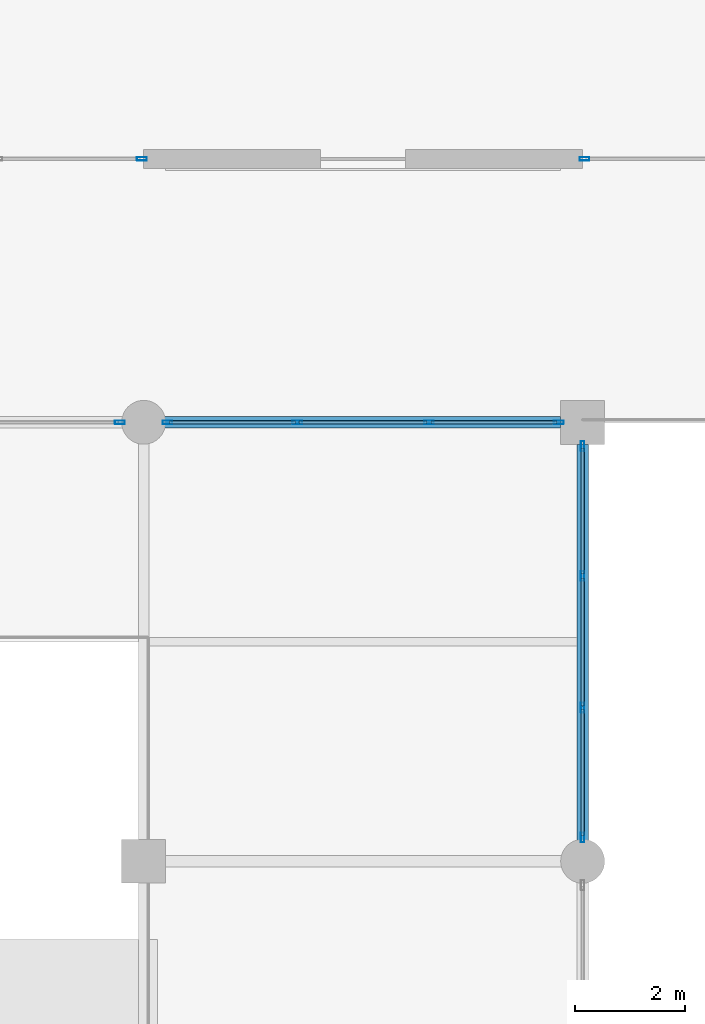
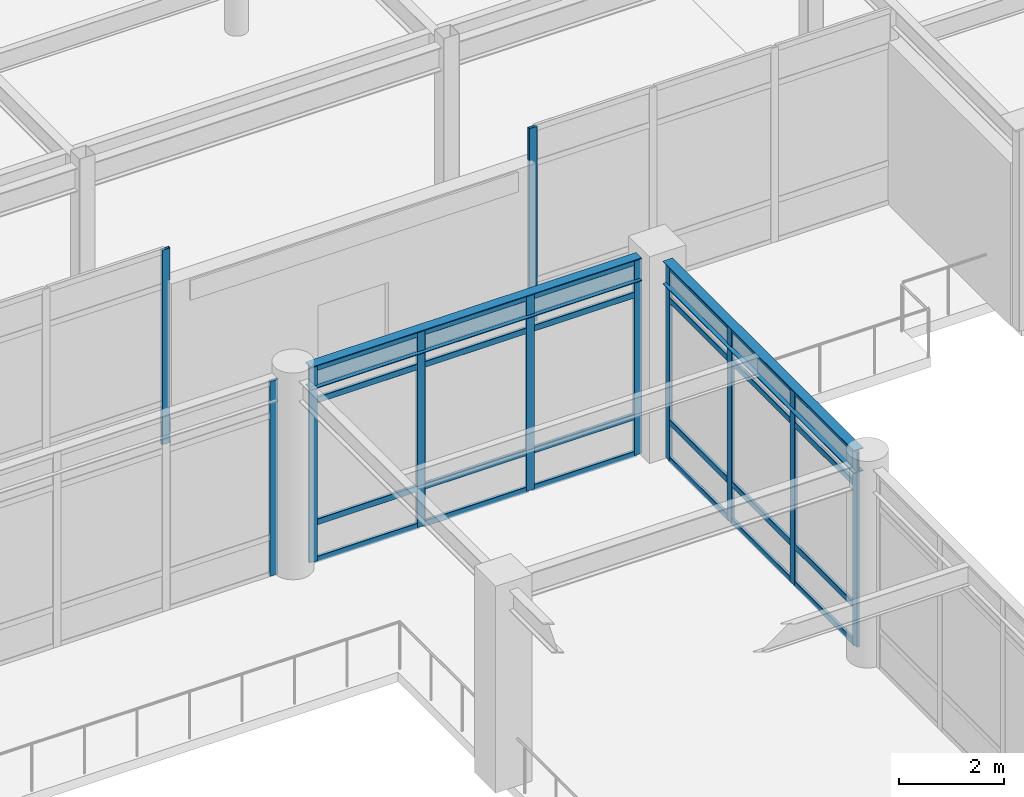
# One storey, part 56 of 117: 35 members, 2 beams, 5 elements without a shape of their own.
"""IFC4 building model written with IfcOpenShell, lengths in metres."""

import ifcopenshell
import ifcopenshell.guid

model = None  # the IFC model being written
_history = None  # IfcOwnerHistory: only IFC2X3 demands one
_inside = {}  # id of a spatial element -> (the spatial element, [elements in it])
_under = {}  # id of a project, library or spatial element -> (it, [spatial elements below it])
_declared = {}  # id of a project -> (the project, [libraries it declares])
_typed = {}  # id of a type object -> (the type object, [elements of that type])
_made_of = {}  # id of a material, layer set ... -> (it, [elements and type objects made of it])


def new_model(schema):
    """Start an empty IFC model of exactly this schema.

    Asked for "IFC4X3", IfcOpenShell would pick the latest addendum, in which some entities
    have other attributes; the version numbers below select the first issue.
    IFC2X3 requires an IfcOwnerHistory on every rooted entity: one is made here for all.
    """
    global model, _history
    if schema == "IFC4X3":
        model = ifcopenshell.file(schema_version=(4, 3, 0, 0))
    else:
        model = ifcopenshell.file(schema=schema)
    _inside.clear()
    _under.clear()
    _declared.clear()
    _typed.clear()
    _made_of.clear()
    _history = None
    if model.schema == "IFC2X3":
        org = make("IfcOrganization", Name="unknown")
        user = make(
            "IfcPersonAndOrganization",
            ThePerson=make("IfcPerson", FamilyName="unknown"),
            TheOrganization=org,
        )
        app = make(
            "IfcApplication",
            ApplicationDeveloper=org,
            Version="unknown",
            ApplicationFullName="unknown",
            ApplicationIdentifier="unknown",
        )
        _history = make(
            "IfcOwnerHistory",
            OwningUser=user,
            OwningApplication=app,
            ChangeAction="ADDED",
            CreationDate=0,
        )
    return model


def make(cls, **values):
    """One entity of the class cls with the attributes given. An attribute that is None is left unset."""
    return model.create_entity(
        cls, **{name: value for name, value in values.items() if value is not None}
    )


def rooted(cls, **values):
    """An entity with a GlobalId (a new one), such as an element, a storey or a relation."""
    return make(cls, GlobalId=ifcopenshell.guid.new(), OwnerHistory=_history, **values)


def si_unit(unit_type, name, prefix=None):
    """IfcSIUnit, for example si_unit("LENGTHUNIT", "METRE", prefix="MILLI")."""
    return make("IfcSIUnit", UnitType=unit_type, Prefix=prefix, Name=name)


def assignment(units):
    """IfcUnitAssignment: the units of a project."""
    return None if units is None else make("IfcUnitAssignment", Units=units)


def point(xyz):
    """IfcCartesianPoint."""
    return None if xyz is None else make("IfcCartesianPoint", Coordinates=xyz)


def direction(xyz):
    """IfcDirection."""
    return None if xyz is None else make("IfcDirection", DirectionRatios=xyz)


def frame(location, z_axis=None, x_axis=None):
    """IfcAxis2Placement3D, a coordinate frame: its origin and axes. An axis left out is left unset."""
    return make(
        "IfcAxis2Placement3D",
        Location=point(location),
        Axis=direction(z_axis),
        RefDirection=direction(x_axis),
    )


def frame_2d(location, x_axis=None):
    """IfcAxis2Placement2D, a coordinate frame in the plane: its origin and x axis."""
    return make(
        "IfcAxis2Placement2D", Location=point(location), RefDirection=direction(x_axis)
    )


def origin():
    """The frame at (0, 0, 0) with its axes left unset."""
    return frame((0.0, 0.0, 0.0))


def origin_2d():
    """The frame at (0, 0) in the plane with its x axis left unset."""
    return frame_2d((0.0, 0.0))


def place(relative_to, where):
    """IfcLocalPlacement: puts the frame where relative to a parent placement (None: the world)."""
    return make(
        "IfcLocalPlacement", PlacementRelTo=relative_to, RelativePlacement=where
    )


def context(
    kind, dimensions, precision=None, world=None, true_north=None, identifier=None
):
    """IfcGeometricRepresentationContext, for example the 3D "Model" context."""
    return make(
        "IfcGeometricRepresentationContext",
        ContextIdentifier=identifier,
        ContextType=kind,
        CoordinateSpaceDimension=dimensions,
        Precision=precision,
        WorldCoordinateSystem=world,
        TrueNorth=true_north,
    )


def subcontext(parent, identifier, kind, view, scale=None):
    """IfcGeometricRepresentationSubContext, for example "Body" below "Model"."""
    return make(
        "IfcGeometricRepresentationSubContext",
        ContextIdentifier=identifier,
        ContextType=kind,
        ParentContext=parent,
        TargetScale=scale,
        TargetView=view,
    )


def project(units=None, contexts=None):
    """IfcProject with its units and contexts."""
    return rooted(
        "IfcProject",
        Name="project",
        RepresentationContexts=contexts,
        UnitsInContext=assignment(units),
    )


def spatial(cls, under=None, at=None, **own):
    """A site, building, storey or space (cls), placed at a placement, below another one or the project."""
    s = rooted(cls, ObjectPlacement=at, **own)
    if under is not None:
        _under.setdefault(under.id(), (under, []))[1].append(s)
    return s


def profile(cls, at=None, kind="AREA", **sizes):
    """A parametric profile (cls). Its sizes go by their IFC names, for example OverallWidth=200.0."""
    return make(cls, ProfileType=kind, Position=at, **sizes)


def hollow_rectangle(**sizes):
    """IfcRectangleHollowProfileDef."""
    return profile("IfcRectangleHollowProfileDef", **sizes)


def i_section(**sizes):
    """IfcIShapeProfileDef."""
    return profile("IfcIShapeProfileDef", **sizes)


def extrude(swept, where, along, depth):
    """IfcExtrudedAreaSolid: the profile swept, set in the frame where, extruded along a direction by depth."""
    return make(
        "IfcExtrudedAreaSolid",
        SweptArea=swept,
        Position=where,
        ExtrudedDirection=direction(along),
        Depth=depth,
    )


def shape(context_of_items, identifier, shape_type, items):
    """IfcShapeRepresentation: the items that make up one representation, for example the "Body"."""
    return make(
        "IfcShapeRepresentation",
        ContextOfItems=context_of_items,
        RepresentationIdentifier=identifier,
        RepresentationType=shape_type,
        Items=items,
    )


def material(Name=None, Category=None):
    """IfcMaterial."""
    return make("IfcMaterial", Name=Name, Category=Category)


def material_profile(
    of_material, cross_section, Name=None, Category=None, Priority=None
):
    """IfcMaterialProfile: a cross section and its material."""
    return make(
        "IfcMaterialProfile",
        Name=Name,
        Material=of_material,
        Profile=cross_section,
        Priority=Priority,
        Category=Category,
    )


def profile_set(profiles, Name=None, composite=None):
    """IfcMaterialProfileSet."""
    return make(
        "IfcMaterialProfileSet",
        Name=Name,
        MaterialProfiles=profiles,
        CompositeProfile=composite,
    )


def made_of(thing, what):
    """Note that an element or type object is made of a material, layer set ...; save() writes the relation."""
    if what is not None:
        _made_of.setdefault(what.id(), (what, []))[1].append(thing)
    return thing


def type_object(cls, material=None, **own):
    """A type object (cls), such as IfcWallType, which elements share."""
    return made_of(rooted(cls, **own), material)


def element(
    cls,
    number,
    at=None,
    inside=None,
    cuts=None,
    type_object=None,
    material=None,
    context=None,
    identifier="Body",
    shape_type=None,
    held_by="IfcProductDefinitionShape",
    body=None,
    shapes=None,
    **own,
):
    """One element of the class cls, such as IfcWall. Its Tag is "e" and its number.

    at: its placement. inside: the storey or other place that contains it. cuts: it is an
    opening in that element (IfcRelVoidsElement). A single representation is given by context,
    identifier, shape_type and body (its items); several are given by shapes. held_by: the class
    of the entity that holds the representations. save() writes the other relations.
    """
    e = rooted(cls, Tag="e%d" % number, ObjectPlacement=at, **own)
    if body is not None:
        shapes = [shape(context, identifier, shape_type, body)]
    if shapes is not None:
        e.Representation = make(held_by, Representations=shapes)
    if inside is not None:
        _inside.setdefault(inside.id(), (inside, []))[1].append(e)
    if cuts is not None:
        rooted(
            "IfcRelVoidsElement", RelatingBuildingElement=cuts, RelatedOpeningElement=e
        )
    if type_object is not None:
        _typed.setdefault(type_object.id(), (type_object, []))[1].append(e)
    return made_of(e, material)


def aggregate(whole, parts):
    """IfcRelAggregates: a whole, such as a stair, and the parts it consists of."""
    return rooted("IfcRelAggregates", RelatingObject=whole, RelatedObjects=parts)


def save(model, path):
    """Write the relations noted so far, then the file.

    IfcRelAggregates (storeys below a building ...), IfcRelContainedInSpatialStructure (elements
    in a storey), IfcRelDefinesByType, IfcRelAssociatesMaterial and IfcRelDeclares: one each for
    every whole, place, type object, material and project.
    """
    for whole, parts in _under.values():
        aggregate(whole, parts)
    for where, things in _inside.values():
        rooted(
            "IfcRelContainedInSpatialStructure",
            RelatedElements=things,
            RelatingStructure=where,
        )
    for kind, things in _typed.values():
        rooted("IfcRelDefinesByType", RelatedObjects=things, RelatingType=kind)
    for what, things in _made_of.values():
        rooted("IfcRelAssociatesMaterial", RelatedObjects=things, RelatingMaterial=what)
    for by, libraries in _declared.values():
        rooted("IfcRelDeclares", RelatingContext=by, RelatedDefinitions=libraries)
    model.write(path)


model = new_model("IFC4")

# Units and contexts
model_context = context("Model", 3, precision=1e-05, world=origin(), true_north=direction((0.0, 1.0)))
body_context = subcontext(model_context, "Body", "Model", "MODEL_VIEW")
ifc_project = project(units=[si_unit("LENGTHUNIT", "METRE"), si_unit("AREAUNIT", "SQUARE_METRE"), si_unit("VOLUMEUNIT", "CUBIC_METRE"), si_unit("PLANEANGLEUNIT", "RADIAN"), si_unit("MASSUNIT", "GRAM", prefix="KILO")], contexts=[model_context])

# Site, building, storey
site_placement = place(None, origin())
site = spatial("IfcSite", under=ifc_project, at=site_placement, CompositionType="ELEMENT")
building_placement = place(site_placement, origin())
building = spatial("IfcBuilding", under=site, at=building_placement, Name="Solmirada Galleria", CompositionType="ELEMENT")
storey_placement = place(building_placement, frame((0.0, 0.0, 5.60009765625)))
storey = spatial("IfcBuildingStorey", under=building, at=storey_placement, Name="L01", CompositionType="ELEMENT", Elevation=5.60009765625)

# Beams
ifc_material_1 = material(Name="Steel S355 / ASTM A992 Grade 50", Category="steel")
ifc_material_profile_1 = material_profile(ifc_material_1, i_section(OverallWidth=0.2099609375, OverallDepth=0.537109375, WebThickness=0.010986328125, FlangeThickness=0.017333984375, FilletRadius=0.014892578125, at=origin_2d()), Name="W21X68")
ifc_profile_set_1 = profile_set([ifc_material_profile_1], Name="Steel S355 / ASTM A992 Grade 50")
beam_type = type_object("IfcBeamType", Name="BM-GIRD-W21B", PredefinedType="BEAM", material=ifc_profile_set_1)
for number, where, z_axis, x_axis, name in (
    (1, (104.3359375, 72.0, 4.331298828125), (1.0, 0.0, 0.0), (0.0, 1.0, 0.0), "Primary beam L02 X(104..112, 72)"),
    (2, (112.0, 64.3359375, 4.331298828125), (0.0, 1.0, 0.0), (-1.0, 0.0, 0.0), "Primary girder L02 Y(112, 64..72)"),
):
    element("IfcBeam", number, at=place(storey_placement, frame(where, z_axis=z_axis, x_axis=x_axis)), inside=storey, type_object=beam_type, Name=name, PredefinedType="BEAM", context=body_context, shape_type="SweptSolid", body=[
        extrude(i_section(OverallWidth=0.2099609375, OverallDepth=0.537109375, WebThickness=0.010986328125, FlangeThickness=0.017333984375, FilletRadius=0.014892578125, at=origin_2d()), origin(), (0.0, 0.0, 1.0), 7.26416015625),
    ])

# Curtain wall, member
ifc_material_2 = material(Name="Impact-resistant low-E double glazing", Category="glass")
curtain_wall_type_1 = type_object("IfcCurtainWallType", Name="CW-FZ4-L01-B3-L080", PredefinedType="NOTDEFINED", material=ifc_material_2)
curtain_wall_1_placement = place(storey_placement, origin())
curtain_wall_1 = element("IfcCurtainWall", 3, at=curtain_wall_1_placement, inside=storey, type_object=curtain_wall_type_1, Name="Terrace and arcade storefront CW-L01-064", PredefinedType="NOTDEFINED")
ifc_material_3 = material(Name="Anodised aluminium framing", Category="aluminium")
ifc_material_profile_2 = material_profile(ifc_material_3, hollow_rectangle(XDim=0.06494140625, YDim=0.179931640625, WallThickness=0.00390625, InnerFilletRadius=0.00390625, OuterFilletRadius=0.008056640625, at=origin_2d()), Name="ALU-MULL-180X65")
ifc_profile_set_2 = profile_set([ifc_material_profile_2], Name="Anodised aluminium framing")
member_type_1 = type_object("IfcMemberType", Name="CW-MULL-180", PredefinedType="MULLION", material=ifc_profile_set_2)
member_1_placement = place(storey_placement, frame((112.032470703125, 76.800048828125, 0.0), z_axis=(0.0, 0.0, 1.0), x_axis=(0.0, -1.0, 0.0)))
member_1 = element("IfcMember", 4, at=member_1_placement, type_object=member_type_1, Name="CW13 mullion 4", PredefinedType="MULLION", context=body_context, shape_type="SweptSolid", body=[
    extrude(hollow_rectangle(XDim=0.06494140625, YDim=0.179931640625, WallThickness=0.00390625, InnerFilletRadius=0.00390625, OuterFilletRadius=0.008056640625, at=origin_2d()), origin(), (0.0, 0.0, 1.0), 4.52001953125),
])
aggregate(curtain_wall_1, [member_1])

curtain_wall_2_placement = place(storey_placement, origin())
curtain_wall_2 = element("IfcCurtainWall", 5, at=curtain_wall_2_placement, inside=storey, type_object=curtain_wall_type_1, Name="Terrace and arcade storefront CW-L01-065", PredefinedType="NOTDEFINED")
member_2_placement = place(storey_placement, frame((103.967529296875, 76.800048828125, 0.0), z_axis=(0.0, 0.0, 1.0), x_axis=(0.0, -1.0, 0.0)))
member_2 = element("IfcMember", 6, at=member_2_placement, type_object=member_type_1, Name="CW13 mullion 1", PredefinedType="MULLION", context=body_context, shape_type="SweptSolid", body=[
    extrude(hollow_rectangle(XDim=0.06494140625, YDim=0.179931640625, WallThickness=0.00390625, InnerFilletRadius=0.00390625, OuterFilletRadius=0.008056640625, at=origin_2d()), origin(), (0.0, 0.0, 1.0), 4.52001953125),
])
aggregate(curtain_wall_2, [member_2])

curtain_wall_type_2 = type_object("IfcCurtainWallType", Name="CW-FZ3-L01-B3-L072", PredefinedType="NOTDEFINED", material=ifc_material_2)
curtain_wall_3_placement = place(storey_placement, origin())
curtain_wall_3 = element("IfcCurtainWall", 7, at=curtain_wall_3_placement, inside=storey, type_object=curtain_wall_type_2, Name="Terrace and arcade storefront CW-L01-066", PredefinedType="NOTDEFINED")
member_3_placement = place(storey_placement, frame((103.5654296875, 72.0, 0.0), z_axis=(0.0, 0.0, 1.0), x_axis=(0.0, 1.0, 0.0)))
member_3 = element("IfcMember", 8, at=member_3_placement, type_object=member_type_1, Name="CW12 mullion 4", PredefinedType="MULLION", context=body_context, shape_type="SweptSolid", body=[
    extrude(hollow_rectangle(XDim=0.06494140625, YDim=0.179931640625, WallThickness=0.00390625, InnerFilletRadius=0.00390625, OuterFilletRadius=0.008056640625, at=origin_2d()), origin(), (0.0, 0.0, 1.0), 4.52001953125),
])
aggregate(curtain_wall_3, [member_3])

# Curtain wall, members
curtain_wall_4_placement = place(storey_placement, origin())
curtain_wall_4 = element("IfcCurtainWall", 9, at=curtain_wall_4_placement, inside=storey, type_object=curtain_wall_type_2, Name="Terrace and arcade storefront CW-L01-067", PredefinedType="NOTDEFINED")
member_4_placement = place(storey_placement, frame((104.4345703125, 72.0, 0.0), z_axis=(0.0, 0.0, 1.0), x_axis=(0.0, 1.0, 0.0)))
member_4 = element("IfcMember", 10, at=member_4_placement, type_object=member_type_1, Name="CW12 mullion 1", PredefinedType="MULLION", context=body_context, shape_type="SweptSolid", body=[
    extrude(hollow_rectangle(XDim=0.06494140625, YDim=0.179931640625, WallThickness=0.00390625, InnerFilletRadius=0.00390625, OuterFilletRadius=0.008056640625, at=origin_2d()), origin(), (0.0, 0.0, 1.0), 4.52001953125),
])
member_5_placement = place(storey_placement, frame((106.80078125, 72.0, 0.0), z_axis=(0.0, 0.0, 1.0), x_axis=(0.0, 1.0, 0.0)))
member_5 = element("IfcMember", 11, at=member_5_placement, type_object=member_type_1, Name="CW12 mullion 2", PredefinedType="MULLION", context=body_context, shape_type="SweptSolid", body=[
    extrude(hollow_rectangle(XDim=0.06494140625, YDim=0.179931640625, WallThickness=0.00390625, InnerFilletRadius=0.00390625, OuterFilletRadius=0.008056640625, at=origin_2d()), origin(), (0.0, 0.0, 1.0), 4.52001953125),
])
member_6_placement = place(storey_placement, frame((109.19921875, 72.0, 0.0), z_axis=(0.0, 0.0, 1.0), x_axis=(0.0, 1.0, 0.0)))
member_6 = element("IfcMember", 12, at=member_6_placement, type_object=member_type_1, Name="CW12 mullion 3", PredefinedType="MULLION", context=body_context, shape_type="SweptSolid", body=[
    extrude(hollow_rectangle(XDim=0.06494140625, YDim=0.179931640625, WallThickness=0.00390625, InnerFilletRadius=0.00390625, OuterFilletRadius=0.008056640625, at=origin_2d()), origin(), (0.0, 0.0, 1.0), 4.52001953125),
])
member_7_placement = place(storey_placement, frame((111.5654296875, 72.0, 0.0), z_axis=(0.0, 0.0, 1.0), x_axis=(0.0, 1.0, 0.0)))
member_7 = element("IfcMember", 13, at=member_7_placement, type_object=member_type_1, Name="CW12 mullion 4", PredefinedType="MULLION", context=body_context, shape_type="SweptSolid", body=[
    extrude(hollow_rectangle(XDim=0.06494140625, YDim=0.179931640625, WallThickness=0.00390625, InnerFilletRadius=0.00390625, OuterFilletRadius=0.008056640625, at=origin_2d()), origin(), (0.0, 0.0, 1.0), 4.52001953125),
])

curtain_wall_5_placement = place(storey_placement, origin())
curtain_wall_5 = element("IfcCurtainWall", 14, at=curtain_wall_5_placement, inside=storey, type_object=curtain_wall_type_2, Name="Terrace and arcade storefront CW-L01-068", PredefinedType="NOTDEFINED")
member_8_placement = place(storey_placement, frame((112.0, 71.5654296875, 0.0), z_axis=(0.0, 0.0, 1.0), x_axis=(1.0, 0.0, 0.0)))
member_8 = element("IfcMember", 15, at=member_8_placement, type_object=member_type_1, Name="CW12 mullion 1", PredefinedType="MULLION", context=body_context, shape_type="SweptSolid", body=[
    extrude(hollow_rectangle(XDim=0.06494140625, YDim=0.179931640625, WallThickness=0.00390625, InnerFilletRadius=0.00390625, OuterFilletRadius=0.008056640625, at=origin_2d()), origin(), (0.0, 0.0, 1.0), 4.52001953125),
])
member_9_placement = place(storey_placement, frame((112.0, 69.19921875, 0.0), z_axis=(0.0, 0.0, 1.0), x_axis=(1.0, 0.0, 0.0)))
member_9 = element("IfcMember", 16, at=member_9_placement, type_object=member_type_1, Name="CW12 mullion 2", PredefinedType="MULLION", context=body_context, shape_type="SweptSolid", body=[
    extrude(hollow_rectangle(XDim=0.06494140625, YDim=0.179931640625, WallThickness=0.00390625, InnerFilletRadius=0.00390625, OuterFilletRadius=0.008056640625, at=origin_2d()), origin(), (0.0, 0.0, 1.0), 4.52001953125),
])
member_10_placement = place(storey_placement, frame((112.0, 66.80078125, 0.0), z_axis=(0.0, 0.0, 1.0), x_axis=(1.0, 0.0, 0.0)))
member_10 = element("IfcMember", 17, at=member_10_placement, type_object=member_type_1, Name="CW12 mullion 3", PredefinedType="MULLION", context=body_context, shape_type="SweptSolid", body=[
    extrude(hollow_rectangle(XDim=0.06494140625, YDim=0.179931640625, WallThickness=0.00390625, InnerFilletRadius=0.00390625, OuterFilletRadius=0.008056640625, at=origin_2d()), origin(), (0.0, 0.0, 1.0), 4.52001953125),
])
member_11_placement = place(storey_placement, frame((112.0, 64.4345703125, 0.0), z_axis=(0.0, 0.0, 1.0), x_axis=(1.0, 0.0, 0.0)))
member_11 = element("IfcMember", 18, at=member_11_placement, type_object=member_type_1, Name="CW12 mullion 4", PredefinedType="MULLION", context=body_context, shape_type="SweptSolid", body=[
    extrude(hollow_rectangle(XDim=0.06494140625, YDim=0.179931640625, WallThickness=0.00390625, InnerFilletRadius=0.00390625, OuterFilletRadius=0.008056640625, at=origin_2d()), origin(), (0.0, 0.0, 1.0), 4.52001953125),
])

# Member
ifc_material_profile_3 = material_profile(ifc_material_3, hollow_rectangle(XDim=0.06494140625, YDim=0.139892578125, WallThickness=0.00341796875, InnerFilletRadius=0.00341796875, OuterFilletRadius=0.007080078125, at=origin_2d()), Name="ALU-TRAN-140X65")
ifc_profile_set_3 = profile_set([ifc_material_profile_3], Name="Anodised aluminium framing")
member_type_2 = type_object("IfcMemberType", Name="CW-TRAN-140", PredefinedType="USERDEFINED", material=ifc_profile_set_3)
member_12_placement = place(storey_placement, frame((104.467041015625, 72.0, 0.032470703125), z_axis=(1.0, 0.0, 0.0), x_axis=(0.0, 1.0, 0.0)))
member_12 = element("IfcMember", 19, at=member_12_placement, type_object=member_type_2, Name="CW12 transom 1.1", ObjectType="TRANSOM", PredefinedType="USERDEFINED", context=body_context, shape_type="SweptSolid", body=[
    extrude(hollow_rectangle(XDim=0.06494140625, YDim=0.139892578125, WallThickness=0.00341796875, InnerFilletRadius=0.00341796875, OuterFilletRadius=0.007080078125, at=origin_2d()), origin(), (0.0, 0.0, 1.0), 2.301025390625),
])

member_13_placement = place(storey_placement, frame((104.467041015625, 72.0, 0.89990234375), z_axis=(1.0, 0.0, 0.0), x_axis=(0.0, 1.0, 0.0)))
member_13 = element("IfcMember", 20, at=member_13_placement, type_object=member_type_2, Name="CW12 transom 1.2", ObjectType="TRANSOM", PredefinedType="USERDEFINED", context=body_context, shape_type="SweptSolid", body=[
    extrude(hollow_rectangle(XDim=0.06494140625, YDim=0.139892578125, WallThickness=0.00341796875, InnerFilletRadius=0.00341796875, OuterFilletRadius=0.007080078125, at=origin_2d()), origin(), (0.0, 0.0, 1.0), 2.301025390625),
])

member_14_placement = place(storey_placement, frame((104.467041015625, 72.0, 3.72998046875), z_axis=(1.0, 0.0, 0.0), x_axis=(0.0, 1.0, 0.0)))
member_14 = element("IfcMember", 21, at=member_14_placement, type_object=member_type_2, Name="CW12 transom 1.3", ObjectType="TRANSOM", PredefinedType="USERDEFINED", context=body_context, shape_type="SweptSolid", body=[
    extrude(hollow_rectangle(XDim=0.06494140625, YDim=0.139892578125, WallThickness=0.00341796875, InnerFilletRadius=0.00341796875, OuterFilletRadius=0.007080078125, at=origin_2d()), origin(), (0.0, 0.0, 1.0), 2.301025390625),
])

member_15_placement = place(storey_placement, frame((104.467041015625, 72.0, 4.4873046875), z_axis=(1.0, 0.0, 0.0), x_axis=(0.0, 1.0, 0.0)))
member_15 = element("IfcMember", 22, at=member_15_placement, type_object=member_type_2, Name="CW12 transom 1.4", ObjectType="TRANSOM", PredefinedType="USERDEFINED", context=body_context, shape_type="SweptSolid", body=[
    extrude(hollow_rectangle(XDim=0.06494140625, YDim=0.139892578125, WallThickness=0.00341796875, InnerFilletRadius=0.00341796875, OuterFilletRadius=0.007080078125, at=origin_2d()), origin(), (0.0, 0.0, 1.0), 2.301025390625),
])

member_16_placement = place(storey_placement, frame((106.833251953125, 72.0, 0.032470703125), z_axis=(1.0, 0.0, 0.0), x_axis=(0.0, 1.0, 0.0)))
member_16 = element("IfcMember", 23, at=member_16_placement, type_object=member_type_2, Name="CW12 transom 2.1", ObjectType="TRANSOM", PredefinedType="USERDEFINED", context=body_context, shape_type="SweptSolid", body=[
    extrude(hollow_rectangle(XDim=0.06494140625, YDim=0.139892578125, WallThickness=0.00341796875, InnerFilletRadius=0.00341796875, OuterFilletRadius=0.007080078125, at=origin_2d()), origin(), (0.0, 0.0, 1.0), 2.33349609375),
])

member_17_placement = place(storey_placement, frame((106.833251953125, 72.0, 0.89990234375), z_axis=(1.0, 0.0, 0.0), x_axis=(0.0, 1.0, 0.0)))
member_17 = element("IfcMember", 24, at=member_17_placement, type_object=member_type_2, Name="CW12 transom 2.2", ObjectType="TRANSOM", PredefinedType="USERDEFINED", context=body_context, shape_type="SweptSolid", body=[
    extrude(hollow_rectangle(XDim=0.06494140625, YDim=0.139892578125, WallThickness=0.00341796875, InnerFilletRadius=0.00341796875, OuterFilletRadius=0.007080078125, at=origin_2d()), origin(), (0.0, 0.0, 1.0), 2.33349609375),
])

member_18_placement = place(storey_placement, frame((106.833251953125, 72.0, 3.72998046875), z_axis=(1.0, 0.0, 0.0), x_axis=(0.0, 1.0, 0.0)))
member_18 = element("IfcMember", 25, at=member_18_placement, type_object=member_type_2, Name="CW12 transom 2.3", ObjectType="TRANSOM", PredefinedType="USERDEFINED", context=body_context, shape_type="SweptSolid", body=[
    extrude(hollow_rectangle(XDim=0.06494140625, YDim=0.139892578125, WallThickness=0.00341796875, InnerFilletRadius=0.00341796875, OuterFilletRadius=0.007080078125, at=origin_2d()), origin(), (0.0, 0.0, 1.0), 2.33349609375),
])

member_19_placement = place(storey_placement, frame((106.833251953125, 72.0, 4.4873046875), z_axis=(1.0, 0.0, 0.0), x_axis=(0.0, 1.0, 0.0)))
member_19 = element("IfcMember", 26, at=member_19_placement, type_object=member_type_2, Name="CW12 transom 2.4", ObjectType="TRANSOM", PredefinedType="USERDEFINED", context=body_context, shape_type="SweptSolid", body=[
    extrude(hollow_rectangle(XDim=0.06494140625, YDim=0.139892578125, WallThickness=0.00341796875, InnerFilletRadius=0.00341796875, OuterFilletRadius=0.007080078125, at=origin_2d()), origin(), (0.0, 0.0, 1.0), 2.33349609375),
])

member_20_placement = place(storey_placement, frame((109.23193359375, 72.0, 0.032470703125), z_axis=(1.0, 0.0, 0.0), x_axis=(0.0, 1.0, 0.0)))
member_20 = element("IfcMember", 27, at=member_20_placement, type_object=member_type_2, Name="CW12 transom 3.1", ObjectType="TRANSOM", PredefinedType="USERDEFINED", context=body_context, shape_type="SweptSolid", body=[
    extrude(hollow_rectangle(XDim=0.06494140625, YDim=0.139892578125, WallThickness=0.00341796875, InnerFilletRadius=0.00341796875, OuterFilletRadius=0.007080078125, at=origin_2d()), origin(), (0.0, 0.0, 1.0), 2.301025390625),
])

member_21_placement = place(storey_placement, frame((109.23193359375, 72.0, 0.89990234375), z_axis=(1.0, 0.0, 0.0), x_axis=(0.0, 1.0, 0.0)))
member_21 = element("IfcMember", 28, at=member_21_placement, type_object=member_type_2, Name="CW12 transom 3.2", ObjectType="TRANSOM", PredefinedType="USERDEFINED", context=body_context, shape_type="SweptSolid", body=[
    extrude(hollow_rectangle(XDim=0.06494140625, YDim=0.139892578125, WallThickness=0.00341796875, InnerFilletRadius=0.00341796875, OuterFilletRadius=0.007080078125, at=origin_2d()), origin(), (0.0, 0.0, 1.0), 2.301025390625),
])

member_22_placement = place(storey_placement, frame((109.23193359375, 72.0, 3.72998046875), z_axis=(1.0, 0.0, 0.0), x_axis=(0.0, 1.0, 0.0)))
member_22 = element("IfcMember", 29, at=member_22_placement, type_object=member_type_2, Name="CW12 transom 3.3", ObjectType="TRANSOM", PredefinedType="USERDEFINED", context=body_context, shape_type="SweptSolid", body=[
    extrude(hollow_rectangle(XDim=0.06494140625, YDim=0.139892578125, WallThickness=0.00341796875, InnerFilletRadius=0.00341796875, OuterFilletRadius=0.007080078125, at=origin_2d()), origin(), (0.0, 0.0, 1.0), 2.301025390625),
])

member_23_placement = place(storey_placement, frame((109.23193359375, 72.0, 4.4873046875), z_axis=(1.0, 0.0, 0.0), x_axis=(0.0, 1.0, 0.0)))
member_23 = element("IfcMember", 30, at=member_23_placement, type_object=member_type_2, Name="CW12 transom 3.4", ObjectType="TRANSOM", PredefinedType="USERDEFINED", context=body_context, shape_type="SweptSolid", body=[
    extrude(hollow_rectangle(XDim=0.06494140625, YDim=0.139892578125, WallThickness=0.00341796875, InnerFilletRadius=0.00341796875, OuterFilletRadius=0.007080078125, at=origin_2d()), origin(), (0.0, 0.0, 1.0), 2.301025390625),
])

aggregate(curtain_wall_4, [member_4, member_5, member_6, member_7, member_12, member_13, member_14, member_15, member_16, member_17, member_18, member_19, member_20, member_21, member_22, member_23])

member_24_placement = place(storey_placement, frame((112.0, 71.532958984375, 0.032470703125), z_axis=(0.0, -1.0, 0.0), x_axis=(1.0, 0.0, 0.0)))
member_24 = element("IfcMember", 31, at=member_24_placement, type_object=member_type_2, Name="CW12 transom 1.1", ObjectType="TRANSOM", PredefinedType="USERDEFINED", context=body_context, shape_type="SweptSolid", body=[
    extrude(hollow_rectangle(XDim=0.06494140625, YDim=0.139892578125, WallThickness=0.00341796875, InnerFilletRadius=0.00341796875, OuterFilletRadius=0.007080078125, at=origin_2d()), origin(), (0.0, 0.0, 1.0), 2.301025390625),
])

member_25_placement = place(storey_placement, frame((112.0, 71.532958984375, 0.89990234375), z_axis=(0.0, -1.0, 0.0), x_axis=(1.0, 0.0, 0.0)))
member_25 = element("IfcMember", 32, at=member_25_placement, type_object=member_type_2, Name="CW12 transom 1.2", ObjectType="TRANSOM", PredefinedType="USERDEFINED", context=body_context, shape_type="SweptSolid", body=[
    extrude(hollow_rectangle(XDim=0.06494140625, YDim=0.139892578125, WallThickness=0.00341796875, InnerFilletRadius=0.00341796875, OuterFilletRadius=0.007080078125, at=origin_2d()), origin(), (0.0, 0.0, 1.0), 2.301025390625),
])

member_26_placement = place(storey_placement, frame((112.0, 71.532958984375, 3.72998046875), z_axis=(0.0, -1.0, 0.0), x_axis=(1.0, 0.0, 0.0)))
member_26 = element("IfcMember", 33, at=member_26_placement, type_object=member_type_2, Name="CW12 transom 1.3", ObjectType="TRANSOM", PredefinedType="USERDEFINED", context=body_context, shape_type="SweptSolid", body=[
    extrude(hollow_rectangle(XDim=0.06494140625, YDim=0.139892578125, WallThickness=0.00341796875, InnerFilletRadius=0.00341796875, OuterFilletRadius=0.007080078125, at=origin_2d()), origin(), (0.0, 0.0, 1.0), 2.301025390625),
])

member_27_placement = place(storey_placement, frame((112.0, 71.532958984375, 4.4873046875), z_axis=(0.0, -1.0, 0.0), x_axis=(1.0, 0.0, 0.0)))
member_27 = element("IfcMember", 34, at=member_27_placement, type_object=member_type_2, Name="CW12 transom 1.4", ObjectType="TRANSOM", PredefinedType="USERDEFINED", context=body_context, shape_type="SweptSolid", body=[
    extrude(hollow_rectangle(XDim=0.06494140625, YDim=0.139892578125, WallThickness=0.00341796875, InnerFilletRadius=0.00341796875, OuterFilletRadius=0.007080078125, at=origin_2d()), origin(), (0.0, 0.0, 1.0), 2.301025390625),
])

member_28_placement = place(storey_placement, frame((112.0, 69.166748046875, 0.032470703125), z_axis=(0.0, -1.0, 0.0), x_axis=(1.0, 0.0, 0.0)))
member_28 = element("IfcMember", 35, at=member_28_placement, type_object=member_type_2, Name="CW12 transom 2.1", ObjectType="TRANSOM", PredefinedType="USERDEFINED", context=body_context, shape_type="SweptSolid", body=[
    extrude(hollow_rectangle(XDim=0.06494140625, YDim=0.139892578125, WallThickness=0.00341796875, InnerFilletRadius=0.00341796875, OuterFilletRadius=0.007080078125, at=origin_2d()), origin(), (0.0, 0.0, 1.0), 2.33349609375),
])

member_29_placement = place(storey_placement, frame((112.0, 69.166748046875, 0.89990234375), z_axis=(0.0, -1.0, 0.0), x_axis=(1.0, 0.0, 0.0)))
member_29 = element("IfcMember", 36, at=member_29_placement, type_object=member_type_2, Name="CW12 transom 2.2", ObjectType="TRANSOM", PredefinedType="USERDEFINED", context=body_context, shape_type="SweptSolid", body=[
    extrude(hollow_rectangle(XDim=0.06494140625, YDim=0.139892578125, WallThickness=0.00341796875, InnerFilletRadius=0.00341796875, OuterFilletRadius=0.007080078125, at=origin_2d()), origin(), (0.0, 0.0, 1.0), 2.33349609375),
])

member_30_placement = place(storey_placement, frame((112.0, 69.166748046875, 3.72998046875), z_axis=(0.0, -1.0, 0.0), x_axis=(1.0, 0.0, 0.0)))
member_30 = element("IfcMember", 37, at=member_30_placement, type_object=member_type_2, Name="CW12 transom 2.3", ObjectType="TRANSOM", PredefinedType="USERDEFINED", context=body_context, shape_type="SweptSolid", body=[
    extrude(hollow_rectangle(XDim=0.06494140625, YDim=0.139892578125, WallThickness=0.00341796875, InnerFilletRadius=0.00341796875, OuterFilletRadius=0.007080078125, at=origin_2d()), origin(), (0.0, 0.0, 1.0), 2.33349609375),
])

member_31_placement = place(storey_placement, frame((112.0, 69.166748046875, 4.4873046875), z_axis=(0.0, -1.0, 0.0), x_axis=(1.0, 0.0, 0.0)))
member_31 = element("IfcMember", 38, at=member_31_placement, type_object=member_type_2, Name="CW12 transom 2.4", ObjectType="TRANSOM", PredefinedType="USERDEFINED", context=body_context, shape_type="SweptSolid", body=[
    extrude(hollow_rectangle(XDim=0.06494140625, YDim=0.139892578125, WallThickness=0.00341796875, InnerFilletRadius=0.00341796875, OuterFilletRadius=0.007080078125, at=origin_2d()), origin(), (0.0, 0.0, 1.0), 2.33349609375),
])

member_32_placement = place(storey_placement, frame((112.0, 66.76806640625, 0.032470703125), z_axis=(0.0, -1.0, 0.0), x_axis=(1.0, 0.0, 0.0)))
member_32 = element("IfcMember", 39, at=member_32_placement, type_object=member_type_2, Name="CW12 transom 3.1", ObjectType="TRANSOM", PredefinedType="USERDEFINED", context=body_context, shape_type="SweptSolid", body=[
    extrude(hollow_rectangle(XDim=0.06494140625, YDim=0.139892578125, WallThickness=0.00341796875, InnerFilletRadius=0.00341796875, OuterFilletRadius=0.007080078125, at=origin_2d()), origin(), (0.0, 0.0, 1.0), 2.301025390625),
])

member_33_placement = place(storey_placement, frame((112.0, 66.76806640625, 0.89990234375), z_axis=(0.0, -1.0, 0.0), x_axis=(1.0, 0.0, 0.0)))
member_33 = element("IfcMember", 40, at=member_33_placement, type_object=member_type_2, Name="CW12 transom 3.2", ObjectType="TRANSOM", PredefinedType="USERDEFINED", context=body_context, shape_type="SweptSolid", body=[
    extrude(hollow_rectangle(XDim=0.06494140625, YDim=0.139892578125, WallThickness=0.00341796875, InnerFilletRadius=0.00341796875, OuterFilletRadius=0.007080078125, at=origin_2d()), origin(), (0.0, 0.0, 1.0), 2.301025390625),
])

member_34_placement = place(storey_placement, frame((112.0, 66.76806640625, 3.72998046875), z_axis=(0.0, -1.0, 0.0), x_axis=(1.0, 0.0, 0.0)))
member_34 = element("IfcMember", 41, at=member_34_placement, type_object=member_type_2, Name="CW12 transom 3.3", ObjectType="TRANSOM", PredefinedType="USERDEFINED", context=body_context, shape_type="SweptSolid", body=[
    extrude(hollow_rectangle(XDim=0.06494140625, YDim=0.139892578125, WallThickness=0.00341796875, InnerFilletRadius=0.00341796875, OuterFilletRadius=0.007080078125, at=origin_2d()), origin(), (0.0, 0.0, 1.0), 2.301025390625),
])

member_35_placement = place(storey_placement, frame((112.0, 66.76806640625, 4.4873046875), z_axis=(0.0, -1.0, 0.0), x_axis=(1.0, 0.0, 0.0)))
member_35 = element("IfcMember", 42, at=member_35_placement, type_object=member_type_2, Name="CW12 transom 3.4", ObjectType="TRANSOM", PredefinedType="USERDEFINED", context=body_context, shape_type="SweptSolid", body=[
    extrude(hollow_rectangle(XDim=0.06494140625, YDim=0.139892578125, WallThickness=0.00341796875, InnerFilletRadius=0.00341796875, OuterFilletRadius=0.007080078125, at=origin_2d()), origin(), (0.0, 0.0, 1.0), 2.301025390625),
])

aggregate(curtain_wall_5, [member_8, member_9, member_10, member_11, member_24, member_25, member_26, member_27, member_28, member_29, member_30, member_31, member_32, member_33, member_34, member_35])

save(model, "model.ifc")
